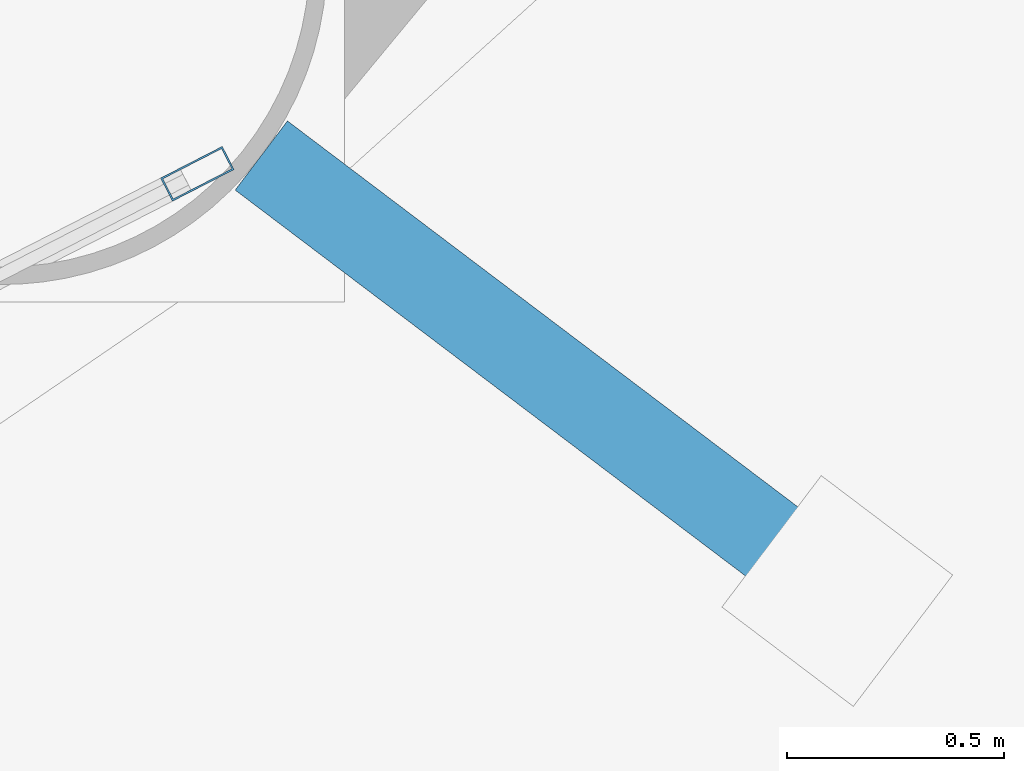
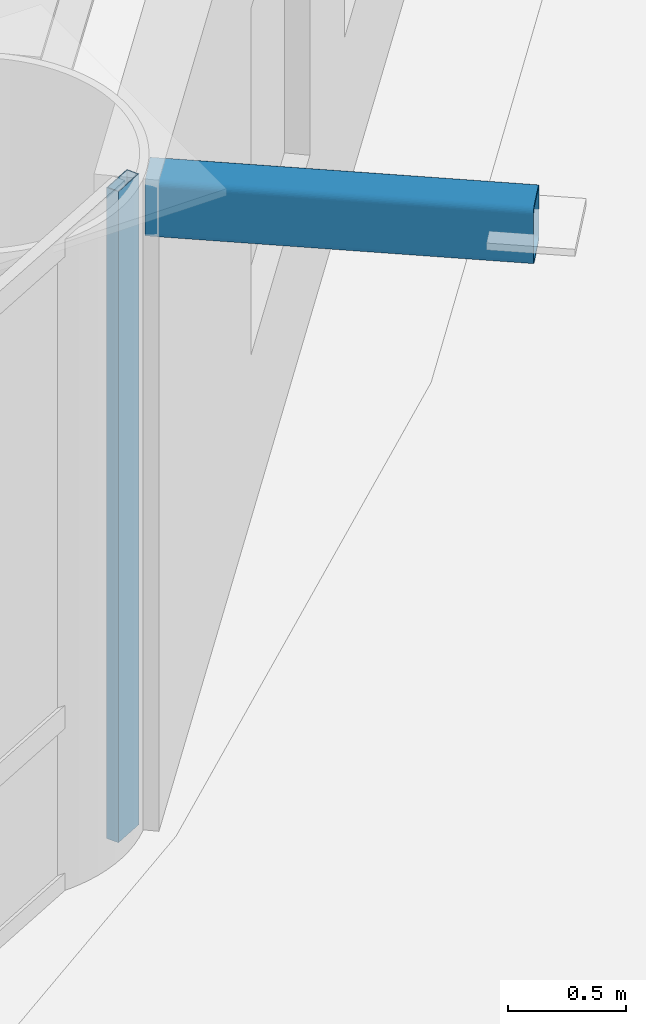
# One storey, part 8 of 30: 2 members, 1 element without a shape of its own.
"""IFC4 building model written with IfcOpenShell, lengths in metres."""

import ifcopenshell
import ifcopenshell.guid

model = None  # the IFC model being written
_history = None  # IfcOwnerHistory: only IFC2X3 demands one
_inside = {}  # id of a spatial element -> (the spatial element, [elements in it])
_under = {}  # id of a project, library or spatial element -> (it, [spatial elements below it])
_declared = {}  # id of a project -> (the project, [libraries it declares])
_typed = {}  # id of a type object -> (the type object, [elements of that type])
_made_of = {}  # id of a material, layer set ... -> (it, [elements and type objects made of it])


def new_model(schema):
    """Start an empty IFC model of exactly this schema.

    Asked for "IFC4X3", IfcOpenShell would pick the latest addendum, in which some entities
    have other attributes; the version numbers below select the first issue.
    IFC2X3 requires an IfcOwnerHistory on every rooted entity: one is made here for all.
    """
    global model, _history
    if schema == "IFC4X3":
        model = ifcopenshell.file(schema_version=(4, 3, 0, 0))
    else:
        model = ifcopenshell.file(schema=schema)
    _inside.clear()
    _under.clear()
    _declared.clear()
    _typed.clear()
    _made_of.clear()
    _history = None
    if model.schema == "IFC2X3":
        org = make("IfcOrganization", Name="unknown")
        user = make(
            "IfcPersonAndOrganization",
            ThePerson=make("IfcPerson", FamilyName="unknown"),
            TheOrganization=org,
        )
        app = make(
            "IfcApplication",
            ApplicationDeveloper=org,
            Version="unknown",
            ApplicationFullName="unknown",
            ApplicationIdentifier="unknown",
        )
        _history = make(
            "IfcOwnerHistory",
            OwningUser=user,
            OwningApplication=app,
            ChangeAction="ADDED",
            CreationDate=0,
        )
    return model


def make(cls, **values):
    """One entity of the class cls with the attributes given. An attribute that is None is left unset."""
    return model.create_entity(
        cls, **{name: value for name, value in values.items() if value is not None}
    )


def rooted(cls, **values):
    """An entity with a GlobalId (a new one), such as an element, a storey or a relation."""
    return make(cls, GlobalId=ifcopenshell.guid.new(), OwnerHistory=_history, **values)


def si_unit(unit_type, name, prefix=None):
    """IfcSIUnit, for example si_unit("LENGTHUNIT", "METRE", prefix="MILLI")."""
    return make("IfcSIUnit", UnitType=unit_type, Prefix=prefix, Name=name)


def assignment(units):
    """IfcUnitAssignment: the units of a project."""
    return None if units is None else make("IfcUnitAssignment", Units=units)


def point(xyz):
    """IfcCartesianPoint."""
    return None if xyz is None else make("IfcCartesianPoint", Coordinates=xyz)


def direction(xyz):
    """IfcDirection."""
    return None if xyz is None else make("IfcDirection", DirectionRatios=xyz)


def frame(location, z_axis=None, x_axis=None):
    """IfcAxis2Placement3D, a coordinate frame: its origin and axes. An axis left out is left unset."""
    return make(
        "IfcAxis2Placement3D",
        Location=point(location),
        Axis=direction(z_axis),
        RefDirection=direction(x_axis),
    )


def frame_2d(location, x_axis=None):
    """IfcAxis2Placement2D, a coordinate frame in the plane: its origin and x axis."""
    return make(
        "IfcAxis2Placement2D", Location=point(location), RefDirection=direction(x_axis)
    )


def origin():
    """The frame at (0, 0, 0) with its axes left unset."""
    return frame((0.0, 0.0, 0.0))


def origin_2d():
    """The frame at (0, 0) in the plane with its x axis left unset."""
    return frame_2d((0.0, 0.0))


def place(relative_to, where):
    """IfcLocalPlacement: puts the frame where relative to a parent placement (None: the world)."""
    return make(
        "IfcLocalPlacement", PlacementRelTo=relative_to, RelativePlacement=where
    )


def context(
    kind, dimensions, precision=None, world=None, true_north=None, identifier=None
):
    """IfcGeometricRepresentationContext, for example the 3D "Model" context."""
    return make(
        "IfcGeometricRepresentationContext",
        ContextIdentifier=identifier,
        ContextType=kind,
        CoordinateSpaceDimension=dimensions,
        Precision=precision,
        WorldCoordinateSystem=world,
        TrueNorth=true_north,
    )


def subcontext(parent, identifier, kind, view, scale=None):
    """IfcGeometricRepresentationSubContext, for example "Body" below "Model"."""
    return make(
        "IfcGeometricRepresentationSubContext",
        ContextIdentifier=identifier,
        ContextType=kind,
        ParentContext=parent,
        TargetScale=scale,
        TargetView=view,
    )


def project(units=None, contexts=None):
    """IfcProject with its units and contexts."""
    return rooted(
        "IfcProject",
        Name="project",
        RepresentationContexts=contexts,
        UnitsInContext=assignment(units),
    )


def spatial(cls, under=None, at=None, **own):
    """A site, building, storey or space (cls), placed at a placement, below another one or the project."""
    s = rooted(cls, ObjectPlacement=at, **own)
    if under is not None:
        _under.setdefault(under.id(), (under, []))[1].append(s)
    return s


def profile(cls, at=None, kind="AREA", **sizes):
    """A parametric profile (cls). Its sizes go by their IFC names, for example OverallWidth=200.0."""
    return make(cls, ProfileType=kind, Position=at, **sizes)


def hollow_rectangle(**sizes):
    """IfcRectangleHollowProfileDef."""
    return profile("IfcRectangleHollowProfileDef", **sizes)


def extrude(swept, where, along, depth):
    """IfcExtrudedAreaSolid: the profile swept, set in the frame where, extruded along a direction by depth."""
    return make(
        "IfcExtrudedAreaSolid",
        SweptArea=swept,
        Position=where,
        ExtrudedDirection=direction(along),
        Depth=depth,
    )


def shape(context_of_items, identifier, shape_type, items):
    """IfcShapeRepresentation: the items that make up one representation, for example the "Body"."""
    return make(
        "IfcShapeRepresentation",
        ContextOfItems=context_of_items,
        RepresentationIdentifier=identifier,
        RepresentationType=shape_type,
        Items=items,
    )


def material(Name=None, Category=None):
    """IfcMaterial."""
    return make("IfcMaterial", Name=Name, Category=Category)


def layer(
    of_material, thickness, ventilated=None, Name=None, Category=None, Priority=None
):
    """IfcMaterialLayer: one layer of a wall or slab, of a material (None: an air gap)."""
    return make(
        "IfcMaterialLayer",
        Material=of_material,
        LayerThickness=thickness,
        IsVentilated=ventilated,
        Name=Name,
        Category=Category,
        Priority=Priority,
    )


def layer_set(layers, Name=None):
    """IfcMaterialLayerSet."""
    return make("IfcMaterialLayerSet", MaterialLayers=layers, LayerSetName=Name)


def material_profile(
    of_material, cross_section, Name=None, Category=None, Priority=None
):
    """IfcMaterialProfile: a cross section and its material."""
    return make(
        "IfcMaterialProfile",
        Name=Name,
        Material=of_material,
        Profile=cross_section,
        Priority=Priority,
        Category=Category,
    )


def profile_set(profiles, Name=None, composite=None):
    """IfcMaterialProfileSet."""
    return make(
        "IfcMaterialProfileSet",
        Name=Name,
        MaterialProfiles=profiles,
        CompositeProfile=composite,
    )


def made_of(thing, what):
    """Note that an element or type object is made of a material, layer set ...; save() writes the relation."""
    if what is not None:
        _made_of.setdefault(what.id(), (what, []))[1].append(thing)
    return thing


def type_object(cls, material=None, **own):
    """A type object (cls), such as IfcWallType, which elements share."""
    return made_of(rooted(cls, **own), material)


def element(
    cls,
    number,
    at=None,
    inside=None,
    cuts=None,
    type_object=None,
    material=None,
    context=None,
    identifier="Body",
    shape_type=None,
    held_by="IfcProductDefinitionShape",
    body=None,
    shapes=None,
    **own,
):
    """One element of the class cls, such as IfcWall. Its Tag is "e" and its number.

    at: its placement. inside: the storey or other place that contains it. cuts: it is an
    opening in that element (IfcRelVoidsElement). A single representation is given by context,
    identifier, shape_type and body (its items); several are given by shapes. held_by: the class
    of the entity that holds the representations. save() writes the other relations.
    """
    e = rooted(cls, Tag="e%d" % number, ObjectPlacement=at, **own)
    if body is not None:
        shapes = [shape(context, identifier, shape_type, body)]
    if shapes is not None:
        e.Representation = make(held_by, Representations=shapes)
    if inside is not None:
        _inside.setdefault(inside.id(), (inside, []))[1].append(e)
    if cuts is not None:
        rooted(
            "IfcRelVoidsElement", RelatingBuildingElement=cuts, RelatedOpeningElement=e
        )
    if type_object is not None:
        _typed.setdefault(type_object.id(), (type_object, []))[1].append(e)
    return made_of(e, material)


def aggregate(whole, parts):
    """IfcRelAggregates: a whole, such as a stair, and the parts it consists of."""
    return rooted("IfcRelAggregates", RelatingObject=whole, RelatedObjects=parts)


def save(model, path):
    """Write the relations noted so far, then the file.

    IfcRelAggregates (storeys below a building ...), IfcRelContainedInSpatialStructure (elements
    in a storey), IfcRelDefinesByType, IfcRelAssociatesMaterial and IfcRelDeclares: one each for
    every whole, place, type object, material and project.
    """
    for whole, parts in _under.values():
        aggregate(whole, parts)
    for where, things in _inside.values():
        rooted(
            "IfcRelContainedInSpatialStructure",
            RelatedElements=things,
            RelatingStructure=where,
        )
    for kind, things in _typed.values():
        rooted("IfcRelDefinesByType", RelatedObjects=things, RelatingType=kind)
    for what, things in _made_of.values():
        rooted("IfcRelAssociatesMaterial", RelatedObjects=things, RelatingMaterial=what)
    for by, libraries in _declared.values():
        rooted("IfcRelDeclares", RelatingContext=by, RelatedDefinitions=libraries)
    model.write(path)


model = new_model("IFC4")

# Units and contexts
model_context = context("Model", 3, precision=1e-05, world=origin(), true_north=direction((0.0, 1.0)))
body_context = subcontext(model_context, "Body", "Model", "MODEL_VIEW")
ifc_project = project(units=[si_unit("LENGTHUNIT", "METRE"), si_unit("AREAUNIT", "SQUARE_METRE"), si_unit("VOLUMEUNIT", "CUBIC_METRE"), si_unit("PLANEANGLEUNIT", "RADIAN"), si_unit("MASSUNIT", "GRAM", prefix="KILO")], contexts=[model_context])

# Site, building, storey
site_placement = place(None, origin())
site = spatial("IfcSite", under=ifc_project, at=site_placement, CompositionType="ELEMENT")
building_placement = place(site_placement, origin())
building = spatial("IfcBuilding", under=site, at=building_placement, Name="Sarneth Arch Tower", CompositionType="ELEMENT")
storey_placement = place(building_placement, frame((0.0, 0.0, 28.199951171875)))
storey = spatial("IfcBuildingStorey", under=building, at=storey_placement, Name="L05", CompositionType="ELEMENT", Elevation=28.199951171875)

# Curtain wall, member
ifc_material_1 = material(Name="Anodised aluminium Type AA25 and solar-control low-e laminated IGU", Category="aluminium")
ifc_layer = layer(ifc_material_1, 0.159912109375)
ifc_layer_set = layer_set([ifc_layer], Name="Anodised aluminium Type AA25 and solar-control low-e laminated IGU")
curtain_wall_type = type_object("IfcCurtainWallType", Name="CW-HOTEL-LOW", PredefinedType="NOTDEFINED", material=ifc_layer_set)
curtain_wall_placement = place(storey_placement, origin())
curtain_wall = element("IfcCurtainWall", 1, at=curtain_wall_placement, inside=storey, type_object=curtain_wall_type, Name="L05 Unitised curtain wall facet 14", PredefinedType="NOTDEFINED")
ifc_material_2 = material(Name="Anodised Aluminium 6063-T6", Category="aluminium")
ifc_material_profile_1 = material_profile(ifc_material_2, hollow_rectangle(XDim=0.06005859375, YDim=0.159912109375, WallThickness=0.00390625, at=origin_2d()), Name="AL-MULL-160x60x4")
ifc_profile_set_1 = profile_set([ifc_material_profile_1], Name="Anodised Aluminium 6063-T6")
member_type_1 = type_object("IfcMemberType", Name="CW-MULLION", PredefinedType="MULLION", material=ifc_profile_set_1)
member_1_placement = place(storey_placement, frame((70.1474609375, 25.1005859375, 0.0), z_axis=(0.0, 0.0, 1.0), x_axis=(-0.456245197127, 0.889854100456, 0.0)))
member_1 = element("IfcMember", 2, at=member_1_placement, type_object=member_type_1, Name="CW-SYS-3 mullion 4", PredefinedType="MULLION", context=body_context, shape_type="SweptSolid", body=[
    extrude(hollow_rectangle(XDim=0.06005859375, YDim=0.159912109375, WallThickness=0.00390625, at=origin_2d()), origin(), (0.0, 0.0, 1.0), 3.380126953125),
])
aggregate(curtain_wall, [member_1])

# Member
ifc_material_3 = material(Name="Steel S355", Category="steel")
ifc_material_profile_2 = material_profile(ifc_material_3, hollow_rectangle(XDim=0.199951171875, YDim=0.300048828125, WallThickness=0.012451171875, InnerFilletRadius=0.018798828125, OuterFilletRadius=0.03125, at=origin_2d()), Name="RHS300x200x12.5")
ifc_profile_set_2 = profile_set([ifc_material_profile_2], Name="Steel S355")
member_type_2 = type_object("IfcMemberType", Name="MEM-CANT-STRUT", PredefinedType="STRUT", material=ifc_profile_set_2)
member_2_placement = place(storey_placement, frame((70.294921875, 25.142822265625, 3.219970703125), z_axis=(0.797654170821, -0.603115099937, 0.0), x_axis=(0.603115099937, 0.797654170821, 0.0)))
element("IfcMember", 3, at=member_2_placement, inside=storey, type_object=member_type_2, Name="L05 Balcony cantilever bracket 15", PredefinedType="STRUT", context=body_context, shape_type="SweptSolid", body=[
    extrude(hollow_rectangle(XDim=0.199951171875, YDim=0.300048828125, WallThickness=0.012451171875, InnerFilletRadius=0.018798828125, OuterFilletRadius=0.03125, at=origin_2d()), origin(), (0.0, 0.0, 1.0), 1.665283203125),
])

save(model, "model.ifc")
